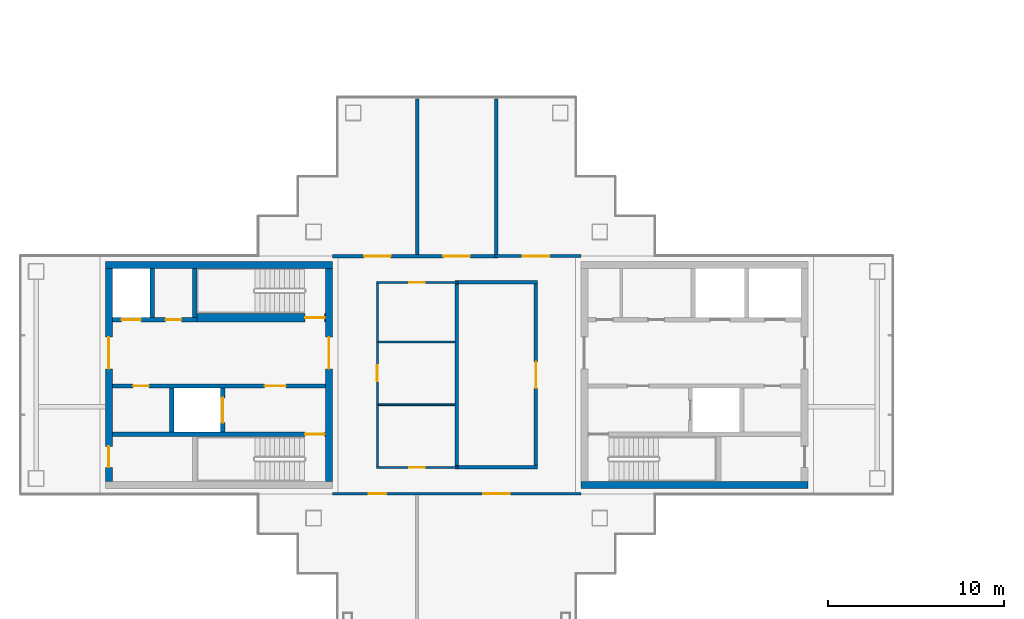
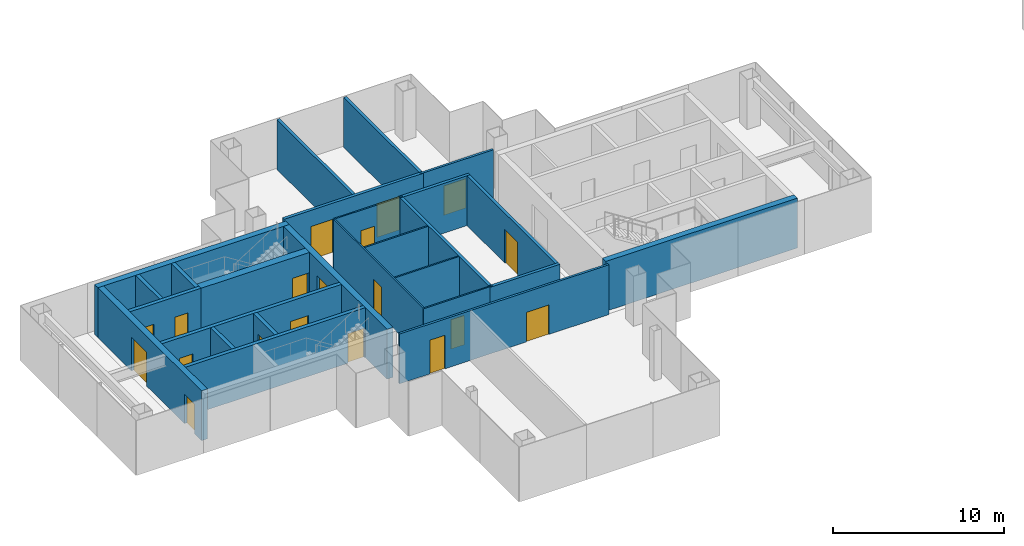
# One storey, part 9 of 16: 26 walls, 19 doors, 19 openings.
"""IFC4 building model written with IfcOpenShell, lengths in metres."""

from ifc_helpers import new_model, si_unit, direction, frame, frame_2d, origin, place, context, subcontext, project, spatial, rectangle, extrude, material, layer, layer_set, type_object, element, fill, save


model = new_model("IFC4")

# Units and contexts
model_context = context("Model", 3, precision=1e-05, world=origin(), true_north=direction((0.0, 1.0)))
body_context = subcontext(model_context, "Body", "Model", "MODEL_VIEW")
ifc_project = project(units=[si_unit("LENGTHUNIT", "METRE"), si_unit("AREAUNIT", "SQUARE_METRE"), si_unit("VOLUMEUNIT", "CUBIC_METRE"), si_unit("PLANEANGLEUNIT", "RADIAN"), si_unit("MASSUNIT", "GRAM", prefix="KILO")], contexts=[model_context])

# Site, building, storey
site_placement = place(None, origin())
site = spatial("IfcSite", under=ifc_project, at=site_placement, CompositionType="ELEMENT")
building_placement = place(site_placement, origin())
building = spatial("IfcBuilding", under=site, at=building_placement, Name="Shamsa Quay Exchange Towers", CompositionType="ELEMENT")
storey_placement = place(building_placement, frame((0.0, 0.0, 242.10009765625)))
storey = spatial("IfcBuildingStorey", under=building, at=storey_placement, Name="L58", CompositionType="ELEMENT", Elevation=242.10009765625)

# Wall
ifc_material_1 = material(Name="Double-leaf gypsum board partition with acoustic insulation")
ifc_layer_1 = layer(ifc_material_1, 0.199951171875)
ifc_layer_set_1 = layer_set([ifc_layer_1], Name="Acoustic partition 200 mm EI 60")
wall_type_1 = type_object("IfcWallType", Name="Acoustic partition 200 mm EI 60", PredefinedType="PARTITIONING", material=ifc_layer_set_1)
wall_1_placement = place(storey_placement, frame((-33.85009765625, -5.25, 0.0)))
element("IfcWall", 1, at=wall_1_placement, inside=storey, type_object=wall_type_1, Name="Partition T1-R26-W04", PredefinedType="PARTITIONING", context=body_context, shape_type="SweptSolid", body=[
    extrude(rectangle(XDim=4.7001953125, YDim=0.199951171875, at=frame_2d((2.35009765625, 0.0))), origin(), (0.0, 0.0, 1.0), 3.5498046875),
])

# Wall, opening, door
wall_2_placement = place(storey_placement, frame((-29.25, -5.14990234375, 0.0), z_axis=(0.0, 0.0, 1.0), x_axis=(0.0, 1.0, 0.0)))
wall_2 = element("IfcWall", 2, at=wall_2_placement, inside=storey, type_object=wall_type_1, Name="Partition T1-R26-W05", PredefinedType="PARTITIONING", context=body_context, shape_type="SweptSolid", body=[
    extrude(rectangle(XDim=10.2998046875, YDim=0.199951171875, at=frame_2d((5.14990234375, 0.0))), origin(), (0.0, 0.0, 1.0), 3.5498046875),
])
opening_1_placement = place(wall_2_placement, frame((4.39990234375, 0.0, 0.0)))
opening_1 = element("IfcOpeningElement", 3, at=opening_1_placement, cuts=wall_2, Name="Opening T1-R26-D07", PredefinedType="OPENING", context=body_context, shape_type="SweptSolid", body=[
    extrude(rectangle(XDim=1.5, YDim=2.39990234375, at=frame_2d((0.75, 1.199951171875))), frame((0.0, 0.10986328125, 0.0), z_axis=(0.0, -1.0, 0.0), x_axis=(1.0, 0.0, 0.0)), (0.0, 0.0, 1.0), 0.219970703125),
])
ifc_material_2 = material(Name="Timber door leaf in a metal frame", Category="wood")
door_type_1 = type_object("IfcDoorType", Name="Door 1500x2400 FD30S pair", OperationType="NOTDEFINED", PredefinedType="DOOR", material=ifc_material_2)
door_1_placement = place(opening_1_placement, origin())
door_1 = element("IfcDoor", 4, at=door_1_placement, inside=storey, type_object=door_type_1, Name="Door T1-R26-D07", OperationType="DOUBLE_DOOR_SINGLE_SWING", OverallHeight=2.39990234375, OverallWidth=1.5, PredefinedType="DOOR", context=body_context, shape_type="SweptSolid", body=[
    extrude(rectangle(XDim=1.5, YDim=2.39990234375, at=frame_2d((0.75, 1.199951171875))), frame((0.0, 0.02490234375, 0.0), z_axis=(0.0, -1.0, 0.0), x_axis=(1.0, 0.0, 0.0)), (0.0, 0.0, 1.0), 0.050048828125),
])
fill(opening_1, door_1)

# Wall
wall_3_placement = place(storey_placement, frame((-29.14990234375, 5.25, 0.0), z_axis=(0.0, 0.0, 1.0), x_axis=(-1.0, 0.0, 0.0)))
element("IfcWall", 5, at=wall_3_placement, inside=storey, type_object=wall_type_1, Name="Partition T1-R26-W06", PredefinedType="PARTITIONING", context=body_context, shape_type="SweptSolid", body=[
    extrude(rectangle(XDim=4.7001953125, YDim=0.199951171875, at=frame_2d((2.35009765625, 0.0))), origin(), (0.0, 0.0, 1.0), 3.5498046875),
])

# Wall, openings, doors
wall_4_placement = place(storey_placement, frame((-40.800048828125, 6.75, 0.0)))
wall_4 = element("IfcWall", 6, at=wall_4_placement, inside=storey, type_object=wall_type_1, Name="Partition T1-R26-W07", PredefinedType="PARTITIONING", context=body_context, shape_type="SweptSolid", body=[
    extrude(rectangle(XDim=9.400146484375, YDim=0.199951171875, at=frame_2d((4.7001953125, 0.0))), origin(), (0.0, 0.0, 1.0), 3.5498046875),
])
opening_2_placement = place(wall_4_placement, frame((1.800048828125, 0.0, 0.0)))
opening_2 = element("IfcOpeningElement", 7, at=opening_2_placement, cuts=wall_4, Name="Opening T1-R26-D01", PredefinedType="OPENING", context=body_context, shape_type="SweptSolid", body=[
    extrude(rectangle(XDim=1.5, YDim=2.39990234375, at=frame_2d((0.75, 1.199951171875))), frame((0.0, 0.10986328125, 0.0), z_axis=(0.0, -1.0, 0.0), x_axis=(1.0, 0.0, 0.0)), (0.0, 0.0, 1.0), 0.219970703125),
])
opening_3_placement = place(wall_4_placement, frame((6.300048828125, 0.0, 0.0)))
opening_3 = element("IfcOpeningElement", 8, at=opening_3_placement, cuts=wall_4, Name="Opening T1-R26-D02", PredefinedType="OPENING", context=body_context, shape_type="SweptSolid", body=[
    extrude(rectangle(XDim=1.5, YDim=2.39990234375, at=frame_2d((0.75, 1.199951171875))), frame((0.0, 0.10986328125, 0.0), z_axis=(0.0, -1.0, 0.0), x_axis=(1.0, 0.0, 0.0)), (0.0, 0.0, 1.0), 0.219970703125),
])
door_2_placement = place(opening_2_placement, origin())
door_2 = element("IfcDoor", 9, at=door_2_placement, inside=storey, type_object=door_type_1, Name="Door T1-R26-D01", OperationType="DOUBLE_DOOR_SINGLE_SWING", OverallHeight=2.39990234375, OverallWidth=1.5, PredefinedType="DOOR", context=body_context, shape_type="SweptSolid", body=[
    extrude(rectangle(XDim=1.5, YDim=2.39990234375, at=frame_2d((0.75, 1.199951171875))), frame((0.0, 0.02490234375, 0.0), z_axis=(0.0, -1.0, 0.0), x_axis=(1.0, 0.0, 0.0)), (0.0, 0.0, 1.0), 0.050048828125),
])
fill(opening_2, door_2)
door_3_placement = place(opening_3_placement, origin())
door_3 = element("IfcDoor", 10, at=door_3_placement, inside=storey, type_object=door_type_1, Name="Door T1-R26-D02", OperationType="DOUBLE_DOOR_SINGLE_SWING", OverallHeight=2.39990234375, OverallWidth=1.5, PredefinedType="DOOR", context=body_context, shape_type="SweptSolid", body=[
    extrude(rectangle(XDim=1.5, YDim=2.39990234375, at=frame_2d((0.75, 1.199951171875))), frame((0.0, 0.02490234375, 0.0), z_axis=(0.0, -1.0, 0.0), x_axis=(1.0, 0.0, 0.0)), (0.0, 0.0, 1.0), 0.050048828125),
])
fill(opening_3, door_3)

# Walls
wall_5_placement = place(storey_placement, frame((-33.75, -5.14990234375, 0.0), z_axis=(0.0, 0.0, 1.0), x_axis=(0.0, 1.0, 0.0)))
element("IfcWall", 11, at=wall_5_placement, inside=storey, type_object=wall_type_1, Name="Partition T1-R26-W11", PredefinedType="PARTITIONING", context=body_context, shape_type="SweptSolid", body=[
    extrude(rectangle(XDim=10.2998046875, YDim=0.199951171875, at=frame_2d((5.14990234375, 0.0))), origin(), (0.0, 0.0, 1.0), 3.5498046875),
])
for number, where, z_axis, x_axis, name in (
    (12, (-36.0, 6.85009765625, 0.0), (0.0, 0.0, 1.0), (0.0, 1.0, 0.0), "Partition T1-R26-W13"),
    (13, (-31.5, 6.85009765625, 0.0), (0.0, 0.0, 1.0), (0.0, 1.0, 0.0), "Partition T1-R26-W14"),
):
    element("IfcWall", number, at=place(storey_placement, frame(where, z_axis=z_axis, x_axis=x_axis)), inside=storey, type_object=wall_type_1, Name=name, PredefinedType="PARTITIONING", context=body_context, shape_type="SweptSolid", body=[
        extrude(rectangle(XDim=8.804931640625, YDim=0.199951171875, at=frame_2d((4.40234375, 0.0))), origin(), (0.0, 0.0, 1.0), 3.5498046875),
    ])
ifc_material_3 = material(Name="Concrete C60/75", Category="concrete")
ifc_layer_2 = layer(ifc_material_3, 0.39990234375)
ifc_layer_set_2 = layer_set([ifc_layer_2], Name="CORE WALL 400 C60/75")
wall_type_2 = type_object("IfcWallType", Name="CORE WALL 400 C60/75", PredefinedType="SHEAR", material=ifc_layer_set_2)
wall_6_placement = place(storey_placement, frame((-26.699951171875, -6.25, 0.0)))
element("IfcWall", 14, at=wall_6_placement, inside=storey, type_object=wall_type_2, Name="Core wall T1A-R26-PS", PredefinedType="SHEAR", context=body_context, shape_type="SweptSolid", body=[
    extrude(rectangle(XDim=12.89990234375, YDim=0.39990234375, at=frame_2d((6.449951171875, 0.0))), origin(), (0.0, 0.0, 1.0), 3.5498046875),
])
wall_7_placement = place(storey_placement, frame((-40.800048828125, 6.25, 0.0), z_axis=(0.0, 0.0, 1.0), x_axis=(-1.0, 0.0, 0.0)))
element("IfcWall", 15, at=wall_7_placement, inside=storey, type_object=wall_type_2, Name="Core wall T1B-R26-PN", PredefinedType="SHEAR", context=body_context, shape_type="SweptSolid", body=[
    extrude(rectangle(XDim=12.89990234375, YDim=0.39990234375, at=frame_2d((6.449951171875, 0.0))), origin(), (0.0, 0.0, 1.0), 3.5498046875),
])

# Wall, opening, door
wall_8_placement = place(storey_placement, frame((-41.0, -6.050048828125, 0.0), z_axis=(0.0, 0.0, 1.0), x_axis=(0.0, 1.0, 0.0)))
wall_8 = element("IfcWall", 16, at=wall_8_placement, inside=storey, type_object=wall_type_2, Name="Core wall T1B-R26-PF", PredefinedType="SHEAR", context=body_context, shape_type="SweptSolid", body=[
    extrude(rectangle(XDim=12.10009765625, YDim=0.39990234375, at=frame_2d((6.050048828125, 0.0))), origin(), (0.0, 0.0, 1.0), 3.5498046875),
])
opening_4_placement = place(wall_8_placement, frame((6.39990234375, 0.0, 0.0)))
opening_4 = element("IfcOpeningElement", 17, at=opening_4_placement, cuts=wall_8, Name="Opening T1B-R26-LBD01", PredefinedType="OPENING", context=body_context, shape_type="SweptSolid", body=[
    extrude(rectangle(XDim=1.800048828125, YDim=2.39990234375, at=frame_2d((0.89990234375, 1.199951171875))), frame((0.0, 0.2099609375, 0.0), z_axis=(0.0, -1.0, 0.0), x_axis=(1.0, 0.0, 0.0)), (0.0, 0.0, 1.0), 0.419921875),
])
ifc_material_4 = material(Name="Steel, fire rated", Category="steel")
door_type_2 = type_object("IfcDoorType", Name="LIFT LOBBY DOOR PAIR 1800", OperationType="DOUBLE_DOOR_SINGLE_SWING", PredefinedType="DOOR", material=ifc_material_4)
door_4_placement = place(opening_4_placement, origin())
door_4 = element("IfcDoor", 18, at=door_4_placement, inside=storey, type_object=door_type_2, Name="T1B-R26-LBD01", OperationType="DOUBLE_DOOR_SINGLE_SWING", OverallHeight=2.39990234375, OverallWidth=1.800048828125, PredefinedType="DOOR", context=body_context, shape_type="SweptSolid", body=[
    extrude(rectangle(XDim=1.800048828125, YDim=2.39990234375, at=frame_2d((0.89990234375, 1.199951171875))), frame((0.0, 0.02490234375, 0.0), z_axis=(0.0, -1.0, 0.0), x_axis=(1.0, 0.0, 0.0)), (0.0, 0.0, 1.0), 0.050048828125),
])
fill(opening_4, door_4)

# Wall, openings, doors
wall_9_placement = place(storey_placement, frame((-53.5, -6.050048828125, 0.0), z_axis=(0.0, 0.0, 1.0), x_axis=(0.0, 1.0, 0.0)))
wall_9 = element("IfcWall", 19, at=wall_9_placement, inside=storey, type_object=wall_type_2, Name="Core wall T1B-R26-PB", PredefinedType="SHEAR", context=body_context, shape_type="SweptSolid", body=[
    extrude(rectangle(XDim=12.10009765625, YDim=0.39990234375, at=frame_2d((6.050048828125, 0.0))), origin(), (0.0, 0.0, 1.0), 3.5498046875),
])
opening_5_placement = place(wall_9_placement, frame((0.800048828125, 0.0, 0.0)))
opening_5 = element("IfcOpeningElement", 20, at=opening_5_placement, cuts=wall_9, Name="Opening T1B-R26-RD02", PredefinedType="OPENING", context=body_context, shape_type="SweptSolid", body=[
    extrude(rectangle(XDim=1.199951171875, YDim=2.10009765625, at=frame_2d((0.60009765625, 1.050048828125))), frame((0.0, 0.2099609375, 0.0), z_axis=(0.0, -1.0, 0.0), x_axis=(1.0, 0.0, 0.0)), (0.0, 0.0, 1.0), 0.419921875),
])
opening_6_placement = place(wall_9_placement, frame((6.39990234375, 0.0, 0.0)))
opening_6 = element("IfcOpeningElement", 21, at=opening_6_placement, cuts=wall_9, Name="Opening T1B-R26-LBD03", PredefinedType="OPENING", context=body_context, shape_type="SweptSolid", body=[
    extrude(rectangle(XDim=1.800048828125, YDim=2.39990234375, at=frame_2d((0.89990234375, 1.199951171875))), frame((0.0, 0.2099609375, 0.0), z_axis=(0.0, -1.0, 0.0), x_axis=(1.0, 0.0, 0.0)), (0.0, 0.0, 1.0), 0.419921875),
])
door_5_placement = place(opening_6_placement, origin())
door_5 = element("IfcDoor", 22, at=door_5_placement, inside=storey, type_object=door_type_2, Name="T1B-R26-LBD03", OperationType="DOUBLE_DOOR_SINGLE_SWING", OverallHeight=2.39990234375, OverallWidth=1.800048828125, PredefinedType="DOOR", context=body_context, shape_type="SweptSolid", body=[
    extrude(rectangle(XDim=1.800048828125, YDim=2.39990234375, at=frame_2d((0.89990234375, 1.199951171875))), frame((0.0, 0.02490234375, 0.0), z_axis=(0.0, -1.0, 0.0), x_axis=(1.0, 0.0, 0.0)), (0.0, 0.0, 1.0), 0.050048828125),
])
fill(opening_6, door_5)
door_type_3 = type_object("IfcDoorType", Name="RISER ACCESS DOOR 1200", OperationType="SINGLE_SWING_LEFT", PredefinedType="DOOR", material=ifc_material_4)
door_6_placement = place(opening_5_placement, origin())
door_6 = element("IfcDoor", 23, at=door_6_placement, inside=storey, type_object=door_type_3, Name="T1B-R26-RD02", OperationType="SINGLE_SWING_LEFT", OverallHeight=2.10009765625, OverallWidth=1.199951171875, PredefinedType="DOOR", context=body_context, shape_type="SweptSolid", body=[
    extrude(rectangle(XDim=1.199951171875, YDim=2.10009765625, at=frame_2d((0.60009765625, 1.050048828125))), frame((0.0, 0.02490234375, 0.0), z_axis=(0.0, -1.0, 0.0), x_axis=(1.0, 0.0, 0.0)), (0.0, 0.0, 1.0), 0.050048828125),
])
fill(opening_5, door_6)

# Wall, opening, door
ifc_material_5 = material(Name="Gypsum board partition on metal studs")
ifc_layer_3 = layer(ifc_material_5, 0.10009765625)
ifc_layer_set_3 = layer_set([ifc_layer_3], Name="Partition 100 mm NOT RATED")
wall_type_3 = type_object("IfcWallType", Name="Partition 100 mm NOT RATED", PredefinedType="PARTITIONING", material=ifc_layer_set_3)
wall_10_placement = place(storey_placement, frame((-38.25, 5.199951171875, 0.0), z_axis=(0.0, 0.0, 1.0), x_axis=(0.0, -1.0, 0.0)))
wall_10 = element("IfcWall", 24, at=wall_10_placement, inside=storey, type_object=wall_type_3, Name="Partition T1-R26-W01", PredefinedType="PARTITIONING", context=body_context, shape_type="SweptSolid", body=[
    extrude(rectangle(XDim=10.39990234375, YDim=0.10009765625, at=frame_2d((5.199951171875, 0.0))), origin(), (0.0, 0.0, 1.0), 3.5498046875),
])
opening_7_placement = place(wall_10_placement, frame((4.65625, 0.0, 0.0)))
opening_7 = element("IfcOpeningElement", 25, at=opening_7_placement, cuts=wall_10, Name="Opening T1-R26-D04", PredefinedType="OPENING", context=body_context, shape_type="SweptSolid", body=[
    extrude(rectangle(XDim=0.89990234375, YDim=2.10009765625, at=frame_2d((0.449951171875, 1.050048828125))), frame((0.0, 0.06005859375, 0.0), z_axis=(0.0, -1.0, 0.0), x_axis=(1.0, 0.0, 0.0)), (0.0, 0.0, 1.0), 0.1201171875),
])
door_type_4 = type_object("IfcDoorType", Name="Door 900x2100 NOT RATED", OperationType="NOTDEFINED", PredefinedType="DOOR", material=ifc_material_2)
door_7_placement = place(opening_7_placement, origin())
door_7 = element("IfcDoor", 26, at=door_7_placement, inside=storey, type_object=door_type_4, Name="Door T1-R26-D04", OperationType="SINGLE_SWING_LEFT", OverallHeight=2.10009765625, OverallWidth=0.89990234375, PredefinedType="DOOR", context=body_context, shape_type="SweptSolid", body=[
    extrude(rectangle(XDim=0.89990234375, YDim=2.10009765625, at=frame_2d((0.449951171875, 1.050048828125))), frame((0.0, 0.02490234375, 0.0), z_axis=(0.0, -1.0, 0.0), x_axis=(1.0, 0.0, 0.0)), (0.0, 0.0, 1.0), 0.050048828125),
])
fill(opening_7, door_7)

wall_11_placement = place(storey_placement, frame((-38.300048828125, -5.25, 0.0)))
wall_11 = element("IfcWall", 27, at=wall_11_placement, inside=storey, type_object=wall_type_3, Name="Partition T1-R26-W02", PredefinedType="PARTITIONING", context=body_context, shape_type="SweptSolid", body=[
    extrude(rectangle(XDim=4.650146484375, YDim=0.10009765625, at=frame_2d((2.3251953125, 0.0))), origin(), (0.0, 0.0, 1.0), 3.5498046875),
])
opening_8_placement = place(wall_11_placement, frame((1.85009765625, 0.0, 0.0)))
opening_8 = element("IfcOpeningElement", 28, at=opening_8_placement, cuts=wall_11, Name="Opening T1-R26-D03", PredefinedType="OPENING", context=body_context, shape_type="SweptSolid", body=[
    extrude(rectangle(XDim=0.89990234375, YDim=2.10009765625, at=frame_2d((0.449951171875, 1.050048828125))), frame((0.0, 0.06005859375, 0.0), z_axis=(0.0, -1.0, 0.0), x_axis=(1.0, 0.0, 0.0)), (0.0, 0.0, 1.0), 0.1201171875),
])
door_8_placement = place(opening_8_placement, origin())
door_8 = element("IfcDoor", 29, at=door_8_placement, inside=storey, type_object=door_type_4, Name="Door T1-R26-D03", OperationType="SINGLE_SWING_LEFT", OverallHeight=2.10009765625, OverallWidth=0.89990234375, PredefinedType="DOOR", context=body_context, shape_type="SweptSolid", body=[
    extrude(rectangle(XDim=0.89990234375, YDim=2.10009765625, at=frame_2d((0.449951171875, 1.050048828125))), frame((0.0, 0.02490234375, 0.0), z_axis=(0.0, -1.0, 0.0), x_axis=(1.0, 0.0, 0.0)), (0.0, 0.0, 1.0), 0.050048828125),
])
fill(opening_8, door_8)

wall_12_placement = place(storey_placement, frame((-33.64990234375, 5.25, 0.0), z_axis=(0.0, 0.0, 1.0), x_axis=(-1.0, 0.0, 0.0)))
wall_12 = element("IfcWall", 30, at=wall_12_placement, inside=storey, type_object=wall_type_3, Name="Partition T1-R26-W03", PredefinedType="PARTITIONING", context=body_context, shape_type="SweptSolid", body=[
    extrude(rectangle(XDim=4.650146484375, YDim=0.10009765625, at=frame_2d((2.3251953125, 0.0))), origin(), (0.0, 0.0, 1.0), 3.5498046875),
])
opening_9_placement = place(wall_12_placement, frame((1.89990234375, 0.0, 0.0)))
opening_9 = element("IfcOpeningElement", 31, at=opening_9_placement, cuts=wall_12, Name="Opening T1-R26-D05", PredefinedType="OPENING", context=body_context, shape_type="SweptSolid", body=[
    extrude(rectangle(XDim=0.89990234375, YDim=2.10009765625, at=frame_2d((0.449951171875, 1.050048828125))), frame((0.0, 0.06005859375, 0.0), z_axis=(0.0, -1.0, 0.0), x_axis=(1.0, 0.0, 0.0)), (0.0, 0.0, 1.0), 0.1201171875),
])
door_9_placement = place(opening_9_placement, origin())
door_9 = element("IfcDoor", 32, at=door_9_placement, inside=storey, type_object=door_type_4, Name="Door T1-R26-D05", OperationType="SINGLE_SWING_RIGHT", OverallHeight=2.10009765625, OverallWidth=0.89990234375, PredefinedType="DOOR", context=body_context, shape_type="SweptSolid", body=[
    extrude(rectangle(XDim=0.89990234375, YDim=2.10009765625, at=frame_2d((0.449951171875, 1.050048828125))), frame((0.0, 0.02490234375, 0.0), z_axis=(0.0, -1.0, 0.0), x_axis=(1.0, 0.0, 0.0)), (0.0, 0.0, 1.0), 0.050048828125),
])
fill(opening_9, door_9)

# Walls
for number, where, z_axis, x_axis, name in (
    (33, (-33.85009765625, -1.6875, 0.0), (0.0, 0.0, 1.0), (-1.0, 0.0, 0.0), "Partition T1-R26-W10"),
    (34, (-33.85009765625, 1.875, 0.0), (0.0, 0.0, 1.0), (-1.0, 0.0, 0.0), "Partition T1-R26-W12"),
):
    element("IfcWall", number, at=place(storey_placement, frame(where, z_axis=z_axis, x_axis=x_axis)), inside=storey, type_object=wall_type_3, Name=name, PredefinedType="PARTITIONING", context=body_context, shape_type="SweptSolid", body=[
        extrude(rectangle(XDim=4.349853515625, YDim=0.10009765625, at=frame_2d((2.1748046875, 0.0))), origin(), (0.0, 0.0, 1.0), 3.5498046875),
    ])

# Wall, opening, door
ifc_layer_4 = layer(ifc_material_5, 0.14990234375)
ifc_layer_set_4 = layer_set([ifc_layer_4], Name="Partition 150 mm EI 60")
wall_type_4 = type_object("IfcWallType", Name="Partition 150 mm EI 60", PredefinedType="PARTITIONING", material=ifc_layer_set_4)
wall_13_placement = place(storey_placement, frame((-31.60009765625, 6.75, 0.0)))
wall_13 = element("IfcWall", 35, at=wall_13_placement, inside=storey, type_object=wall_type_4, Name="Partition T1-R26-W08", PredefinedType="PARTITIONING", context=body_context, shape_type="SweptSolid", body=[
    extrude(rectangle(XDim=4.900146484375, YDim=0.14990234375, at=frame_2d((2.4501953125, 0.0))), origin(), (0.0, 0.0, 1.0), 3.5498046875),
])
opening_10_placement = place(wall_13_placement, frame((1.60009765625, 0.0, 0.0)))
opening_10 = element("IfcOpeningElement", 36, at=opening_10_placement, cuts=wall_13, Name="Opening T1-R26-D06", PredefinedType="OPENING", context=body_context, shape_type="SweptSolid", body=[
    extrude(rectangle(XDim=1.5, YDim=2.10009765625, at=frame_2d((0.75, 1.050048828125))), frame((0.0, 0.0849609375, 0.0), z_axis=(0.0, -1.0, 0.0), x_axis=(1.0, 0.0, 0.0)), (0.0, 0.0, 1.0), 0.169921875),
])
door_type_5 = type_object("IfcDoorType", Name="Door 1500x2100 FD30S pair", OperationType="NOTDEFINED", PredefinedType="DOOR", material=ifc_material_2)
door_10_placement = place(opening_10_placement, origin())
door_10 = element("IfcDoor", 37, at=door_10_placement, inside=storey, type_object=door_type_5, Name="Door T1-R26-D06", OperationType="DOUBLE_DOOR_SINGLE_SWING", OverallHeight=2.10009765625, OverallWidth=1.5, PredefinedType="DOOR", context=body_context, shape_type="SweptSolid", body=[
    extrude(rectangle(XDim=1.5, YDim=2.10009765625, at=frame_2d((0.75, 1.050048828125))), frame((0.0, 0.02490234375, 0.0), z_axis=(0.0, -1.0, 0.0), x_axis=(1.0, 0.0, 0.0)), (0.0, 0.0, 1.0), 0.050048828125),
])
fill(opening_10, door_10)

# Wall, openings, doors
wall_14_placement = place(storey_placement, frame((-26.699951171875, -6.75, 0.0), z_axis=(0.0, 0.0, 1.0), x_axis=(-1.0, 0.0, 0.0)))
wall_14 = element("IfcWall", 38, at=wall_14_placement, inside=storey, type_object=wall_type_4, Name="Partition T1-R26-W09", PredefinedType="PARTITIONING", context=body_context, shape_type="SweptSolid", body=[
    extrude(rectangle(XDim=14.10009765625, YDim=0.14990234375, at=frame_2d((7.050048828125, 0.0))), origin(), (0.0, 0.0, 1.0), 3.5498046875),
])
opening_11_placement = place(wall_14_placement, frame((4.050048828125, 0.0, 0.0)))
opening_11 = element("IfcOpeningElement", 39, at=opening_11_placement, cuts=wall_14, Name="Opening T1-R26-D08", PredefinedType="OPENING", context=body_context, shape_type="SweptSolid", body=[
    extrude(rectangle(XDim=1.5, YDim=2.10009765625, at=frame_2d((0.75, 1.050048828125))), frame((0.0, 0.0849609375, 0.0), z_axis=(0.0, -1.0, 0.0), x_axis=(1.0, 0.0, 0.0)), (0.0, 0.0, 1.0), 0.169921875),
])
opening_12_placement = place(wall_14_placement, frame((11.050048828125, 0.0, 0.0)))
opening_12 = element("IfcOpeningElement", 40, at=opening_12_placement, cuts=wall_14, Name="Opening T1-R26-D09", PredefinedType="OPENING", context=body_context, shape_type="SweptSolid", body=[
    extrude(rectangle(XDim=1.0, YDim=2.39990234375, at=frame_2d((0.5, 1.199951171875))), frame((0.0, 0.0849609375, 0.0), z_axis=(0.0, -1.0, 0.0), x_axis=(1.0, 0.0, 0.0)), (0.0, 0.0, 1.0), 0.169921875),
])
door_type_6 = type_object("IfcDoorType", Name="Door 1000x2400 FD30S", OperationType="NOTDEFINED", PredefinedType="DOOR", material=ifc_material_2)
door_11_placement = place(opening_12_placement, origin())
door_11 = element("IfcDoor", 41, at=door_11_placement, inside=storey, type_object=door_type_6, Name="Door T1-R26-D09", OperationType="SINGLE_SWING_RIGHT", OverallHeight=2.39990234375, OverallWidth=1.0, PredefinedType="DOOR", context=body_context, shape_type="SweptSolid", body=[
    extrude(rectangle(XDim=1.0, YDim=2.39990234375, at=frame_2d((0.5, 1.199951171875))), frame((0.0, 0.02490234375, 0.0), z_axis=(0.0, -1.0, 0.0), x_axis=(1.0, 0.0, 0.0)), (0.0, 0.0, 1.0), 0.050048828125),
])
fill(opening_12, door_11)
door_12_placement = place(opening_11_placement, origin())
door_12 = element("IfcDoor", 42, at=door_12_placement, inside=storey, type_object=door_type_5, Name="Door T1-R26-D08", OperationType="DOUBLE_DOOR_SINGLE_SWING", OverallHeight=2.10009765625, OverallWidth=1.5, PredefinedType="DOOR", context=body_context, shape_type="SweptSolid", body=[
    extrude(rectangle(XDim=1.5, YDim=2.10009765625, at=frame_2d((0.75, 1.050048828125))), frame((0.0, 0.02490234375, 0.0), z_axis=(0.0, -1.0, 0.0), x_axis=(1.0, 0.0, 0.0)), (0.0, 0.0, 1.0), 0.050048828125),
])
fill(opening_11, door_12)

# Wall, opening, door
ifc_material_6 = material(Name="Concrete C50/60", Category="concrete")
ifc_layer_5 = layer(ifc_material_6, 0.25)
ifc_layer_set_5 = layer_set([ifc_layer_5], Name="SHAFT WALL 250 C50/60")
wall_type_5 = type_object("IfcWallType", Name="SHAFT WALL 250 C50/60", PredefinedType="SHEAR", material=ifc_layer_set_5)
wall_15_placement = place(storey_placement, frame((-41.199951171875, -3.375, 0.0), z_axis=(0.0, 0.0, 1.0), x_axis=(-1.0, 0.0, 0.0)))
wall_15 = element("IfcWall", 43, at=wall_15_placement, inside=storey, type_object=wall_type_5, Name="Shaft wall T1B-R26-STL", PredefinedType="SHEAR", context=body_context, shape_type="SweptSolid", body=[
    extrude(rectangle(XDim=12.10009765625, YDim=0.25, at=frame_2d((6.050048828125, 0.0))), origin(), (0.0, 0.0, 1.0), 3.5498046875),
])
opening_13_placement = place(wall_15_placement, frame((0.050048828125, 0.0, 0.0)))
opening_13 = element("IfcOpeningElement", 44, at=opening_13_placement, cuts=wall_15, Name="Opening T1B-R26-SD04", PredefinedType="OPENING", context=body_context, shape_type="SweptSolid", body=[
    extrude(rectangle(XDim=1.10009765625, YDim=2.10009765625, at=frame_2d((0.550048828125, 1.050048828125))), frame((0.0, 0.135009765625, 0.0), z_axis=(0.0, -1.0, 0.0), x_axis=(1.0, 0.0, 0.0)), (0.0, 0.0, 1.0), 0.27001953125),
])
door_type_7 = type_object("IfcDoorType", Name="STAIR DOOR 1100", OperationType="SINGLE_SWING_LEFT", PredefinedType="DOOR", material=ifc_material_4)
door_13_placement = place(opening_13_placement, origin())
door_13 = element("IfcDoor", 45, at=door_13_placement, inside=storey, type_object=door_type_7, Name="T1B-R26-SD04", OperationType="SINGLE_SWING_LEFT", OverallHeight=2.10009765625, OverallWidth=1.10009765625, PredefinedType="DOOR", context=body_context, shape_type="SweptSolid", body=[
    extrude(rectangle(XDim=1.10009765625, YDim=2.10009765625, at=frame_2d((0.550048828125, 1.050048828125))), frame((0.0, 0.02490234375, 0.0), z_axis=(0.0, -1.0, 0.0), x_axis=(1.0, 0.0, 0.0)), (0.0, 0.0, 1.0), 0.050048828125),
])
fill(opening_13, door_13)

# Wall, openings, doors
wall_16_placement = place(storey_placement, frame((-41.199951171875, -0.625, 0.0), z_axis=(0.0, 0.0, 1.0), x_axis=(-1.0, 0.0, 0.0)))
wall_16 = element("IfcWall", 46, at=wall_16_placement, inside=storey, type_object=wall_type_5, Name="Shaft wall T1B-R26-B", PredefinedType="SHEAR", context=body_context, shape_type="SweptSolid", body=[
    extrude(rectangle(XDim=12.10009765625, YDim=0.25, at=frame_2d((6.050048828125, 0.0))), origin(), (0.0, 0.0, 1.0), 3.5498046875),
])
opening_14_placement = place(wall_16_placement, frame((2.25, 0.0, 0.0)))
opening_14 = element("IfcOpeningElement", 47, at=opening_14_placement, cuts=wall_16, Name="Opening T1B-R26-FD05", PredefinedType="OPENING", context=body_context, shape_type="SweptSolid", body=[
    extrude(rectangle(XDim=1.199951171875, YDim=2.10009765625, at=frame_2d((0.60009765625, 1.050048828125))), frame((0.0, 0.135009765625, 0.0), z_axis=(0.0, -1.0, 0.0), x_axis=(1.0, 0.0, 0.0)), (0.0, 0.0, 1.0), 0.27001953125),
])
opening_15_placement = place(wall_16_placement, frame((10.02490234375, 0.0, 0.0)))
opening_15 = element("IfcOpeningElement", 48, at=opening_15_placement, cuts=wall_16, Name="Opening T1B-R26-SV06", PredefinedType="OPENING", context=body_context, shape_type="SweptSolid", body=[
    extrude(rectangle(XDim=0.89990234375, YDim=2.10009765625, at=frame_2d((0.449951171875, 1.050048828125))), frame((0.0, 0.135009765625, 0.0), z_axis=(0.0, -1.0, 0.0), x_axis=(1.0, 0.0, 0.0)), (0.0, 0.0, 1.0), 0.27001953125),
])
door_type_8 = type_object("IfcDoorType", Name="FIRE SERVICE LOBBY DOOR 1200", OperationType="SINGLE_SWING_LEFT", PredefinedType="DOOR", material=ifc_material_4)
door_14_placement = place(opening_14_placement, origin())
door_14 = element("IfcDoor", 49, at=door_14_placement, inside=storey, type_object=door_type_8, Name="T1B-R26-FD05", OperationType="SINGLE_SWING_LEFT", OverallHeight=2.10009765625, OverallWidth=1.199951171875, PredefinedType="DOOR", context=body_context, shape_type="SweptSolid", body=[
    extrude(rectangle(XDim=1.199951171875, YDim=2.10009765625, at=frame_2d((0.60009765625, 1.050048828125))), frame((0.0, 0.02490234375, 0.0), z_axis=(0.0, -1.0, 0.0), x_axis=(1.0, 0.0, 0.0)), (0.0, 0.0, 1.0), 0.050048828125),
])
fill(opening_14, door_14)
door_type_9 = type_object("IfcDoorType", Name="SERVICE ROOM DOOR 900", OperationType="SINGLE_SWING_LEFT", PredefinedType="DOOR", material=ifc_material_4)
door_15_placement = place(opening_15_placement, origin())
door_15 = element("IfcDoor", 50, at=door_15_placement, inside=storey, type_object=door_type_9, Name="T1B-R26-SV06", OperationType="SINGLE_SWING_RIGHT", OverallHeight=2.10009765625, OverallWidth=0.89990234375, PredefinedType="DOOR", context=body_context, shape_type="SweptSolid", body=[
    extrude(rectangle(XDim=0.89990234375, YDim=2.10009765625, at=frame_2d((0.449951171875, 1.050048828125))), frame((0.0, 0.02490234375, 0.0), z_axis=(0.0, -1.0, 0.0), x_axis=(1.0, 0.0, 0.0)), (0.0, 0.0, 1.0), 0.050048828125),
])
fill(opening_15, door_15)

# Wall, opening, door
wall_17_placement = place(storey_placement, frame((-47.02490234375, -3.25, 0.0), z_axis=(0.0, 0.0, 1.0), x_axis=(0.0, 1.0, 0.0)))
wall_17 = element("IfcWall", 51, at=wall_17_placement, inside=storey, type_object=wall_type_5, Name="Shaft wall T1B-R26-FFF", PredefinedType="SHEAR", context=body_context, shape_type="SweptSolid", body=[
    extrude(rectangle(XDim=2.5, YDim=0.25, at=frame_2d((1.25, 0.0))), origin(), (0.0, 0.0, 1.0), 3.5498046875),
])
opening_16_placement = place(wall_17_placement, frame((0.550048828125, 0.0, 0.0)))
opening_16 = element("IfcOpeningElement", 52, at=opening_16_placement, cuts=wall_17, Name="Opening T1B-R26-LDG07", PredefinedType="OPENING", context=body_context, shape_type="SweptSolid", body=[
    extrude(rectangle(XDim=1.39990234375, YDim=2.39990234375, at=frame_2d((0.699951171875, 1.199951171875))), frame((0.0, 0.135009765625, 0.0), z_axis=(0.0, -1.0, 0.0), x_axis=(1.0, 0.0, 0.0)), (0.0, 0.0, 1.0), 0.27001953125),
])
door_type_10 = type_object("IfcDoorType", Name="GOODS LIFT LANDING DOOR 1400", OperationType="SLIDING_TO_LEFT", PredefinedType="DOOR", material=ifc_material_4)
door_16_placement = place(opening_16_placement, origin())
door_16 = element("IfcDoor", 53, at=door_16_placement, inside=storey, type_object=door_type_10, Name="T1B-R26-LDG07", OperationType="SLIDING_TO_LEFT", OverallHeight=2.39990234375, OverallWidth=1.39990234375, PredefinedType="DOOR", context=body_context, shape_type="SweptSolid", body=[
    extrude(rectangle(XDim=1.39990234375, YDim=2.39990234375, at=frame_2d((0.699951171875, 1.199951171875))), frame((0.0, 0.02490234375, 0.0), z_axis=(0.0, -1.0, 0.0), x_axis=(1.0, 0.0, 0.0)), (0.0, 0.0, 1.0), 0.050048828125),
])
fill(opening_16, door_16)

# Wall
wall_18_placement = place(storey_placement, frame((-49.925048828125, -3.25, 0.0), z_axis=(0.0, 0.0, 1.0), x_axis=(0.0, 1.0, 0.0)))
element("IfcWall", 54, at=wall_18_placement, inside=storey, type_object=wall_type_5, Name="Shaft wall T1B-R26-FFB", PredefinedType="SHEAR", context=body_context, shape_type="SweptSolid", body=[
    extrude(rectangle(XDim=2.5, YDim=0.25, at=frame_2d((1.25, 0.0))), origin(), (0.0, 0.0, 1.0), 3.5498046875),
])

# Wall, openings, doors
wall_19_placement = place(storey_placement, frame((-53.300048828125, 3.125, 0.0)))
wall_19 = element("IfcWall", 55, at=wall_19_placement, inside=storey, type_object=wall_type_5, Name="Shaft wall T1B-R26-N2", PredefinedType="SHEAR", context=body_context, shape_type="SweptSolid", body=[
    extrude(rectangle(XDim=4.800048828125, YDim=0.25, at=frame_2d((2.39990234375, 0.0))), origin(), (0.0, 0.0, 1.0), 3.5498046875),
])
opening_17_placement = place(wall_19_placement, frame((0.52490234375, 0.0, 0.0)))
opening_17 = element("IfcOpeningElement", 56, at=opening_17_placement, cuts=wall_19, Name="Opening T1B-R26-LD09", PredefinedType="OPENING", context=body_context, shape_type="SweptSolid", body=[
    extrude(rectangle(XDim=1.10009765625, YDim=2.10009765625, at=frame_2d((0.550048828125, 1.050048828125))), frame((0.0, 0.135009765625, 0.0), z_axis=(0.0, -1.0, 0.0), x_axis=(1.0, 0.0, 0.0)), (0.0, 0.0, 1.0), 0.27001953125),
])
opening_18_placement = place(wall_19_placement, frame((3.02490234375, 0.0, 0.0)))
opening_18 = element("IfcOpeningElement", 57, at=opening_18_placement, cuts=wall_19, Name="Opening T1B-R26-SV10", PredefinedType="OPENING", context=body_context, shape_type="SweptSolid", body=[
    extrude(rectangle(XDim=0.89990234375, YDim=2.10009765625, at=frame_2d((0.449951171875, 1.050048828125))), frame((0.0, 0.135009765625, 0.0), z_axis=(0.0, -1.0, 0.0), x_axis=(1.0, 0.0, 0.0)), (0.0, 0.0, 1.0), 0.27001953125),
])
door_type_11 = type_object("IfcDoorType", Name="LANDING DOOR 1100", OperationType="SLIDING_TO_LEFT", PredefinedType="DOOR", material=ifc_material_4)
door_17_placement = place(opening_17_placement, origin())
door_17 = element("IfcDoor", 58, at=door_17_placement, inside=storey, type_object=door_type_11, Name="T1B-R26-LD09", OperationType="SLIDING_TO_LEFT", OverallHeight=2.10009765625, OverallWidth=1.10009765625, PredefinedType="DOOR", context=body_context, shape_type="SweptSolid", body=[
    extrude(rectangle(XDim=1.10009765625, YDim=2.10009765625, at=frame_2d((0.550048828125, 1.050048828125))), frame((0.0, 0.02490234375, 0.0), z_axis=(0.0, -1.0, 0.0), x_axis=(1.0, 0.0, 0.0)), (0.0, 0.0, 1.0), 0.050048828125),
])
fill(opening_17, door_17)
door_18_placement = place(opening_18_placement, origin())
door_18 = element("IfcDoor", 59, at=door_18_placement, inside=storey, type_object=door_type_9, Name="T1B-R26-SV10", OperationType="SINGLE_SWING_RIGHT", OverallHeight=2.10009765625, OverallWidth=0.89990234375, PredefinedType="DOOR", context=body_context, shape_type="SweptSolid", body=[
    extrude(rectangle(XDim=0.89990234375, YDim=2.10009765625, at=frame_2d((0.449951171875, 1.050048828125))), frame((0.0, 0.02490234375, 0.0), z_axis=(0.0, -1.0, 0.0), x_axis=(1.0, 0.0, 0.0)), (0.0, 0.0, 1.0), 0.050048828125),
])
fill(opening_18, door_18)

# Walls
for number, where, z_axis, x_axis, name in (
    (60, (-48.625, 3.25, 0.0), (0.0, 0.0, 1.0), (0.0, 1.0, 0.0), "Shaft wall T1B-R26-STF2"),
    (61, (-51.02490234375, 3.25, 0.0), (0.0, 0.0, 1.0), (0.0, 1.0, 0.0), "Shaft wall T1B-R26-D0"),
):
    element("IfcWall", number, at=place(storey_placement, frame(where, z_axis=z_axis, x_axis=x_axis)), inside=storey, type_object=wall_type_5, Name=name, PredefinedType="SHEAR", context=body_context, shape_type="SweptSolid", body=[
        extrude(rectangle(XDim=2.800048828125, YDim=0.25, at=frame_2d((1.39990234375, 0.0))), origin(), (0.0, 0.0, 1.0), 3.5498046875),
    ])

# Wall, opening, door
ifc_layer_6 = layer(ifc_material_6, 0.5)
ifc_layer_set_6 = layer_set([ifc_layer_6], Name="SHAFT WALL 500 C50/60")
wall_type_6 = type_object("IfcWallType", Name="SHAFT WALL 500 C50/60", PredefinedType="SHEAR", material=ifc_layer_set_6)
wall_20_placement = place(storey_placement, frame((-48.5, 3.25, 0.0)))
wall_20 = element("IfcWall", 62, at=wall_20_placement, inside=storey, type_object=wall_type_6, Name="Shaft wall T1B-R26-N", PredefinedType="SHEAR", context=body_context, shape_type="SweptSolid", body=[
    extrude(rectangle(XDim=7.300048828125, YDim=0.5, at=frame_2d((3.64990234375, 0.0))), origin(), (0.0, 0.0, 1.0), 3.5498046875),
])
opening_19_placement = place(wall_20_placement, frame((6.14990234375, 0.0, 0.0)))
opening_19 = element("IfcOpeningElement", 63, at=opening_19_placement, cuts=wall_20, Name="Opening T1B-R26-SD08", PredefinedType="OPENING", context=body_context, shape_type="SweptSolid", body=[
    extrude(rectangle(XDim=1.10009765625, YDim=2.10009765625, at=frame_2d((0.550048828125, 1.050048828125))), frame((0.0, 0.260009765625, 0.0), z_axis=(0.0, -1.0, 0.0), x_axis=(1.0, 0.0, 0.0)), (0.0, 0.0, 1.0), 0.52001953125),
])
door_19_placement = place(opening_19_placement, origin())
door_19 = element("IfcDoor", 64, at=door_19_placement, inside=storey, type_object=door_type_7, Name="T1B-R26-SD08", OperationType="SINGLE_SWING_RIGHT", OverallHeight=2.10009765625, OverallWidth=1.10009765625, PredefinedType="DOOR", context=body_context, shape_type="SweptSolid", body=[
    extrude(rectangle(XDim=1.10009765625, YDim=2.10009765625, at=frame_2d((0.550048828125, 1.050048828125))), frame((0.0, 0.02490234375, 0.0), z_axis=(0.0, -1.0, 0.0), x_axis=(1.0, 0.0, 0.0)), (0.0, 0.0, 1.0), 0.050048828125),
])
fill(opening_19, door_19)

save(model, "model.ifc")
